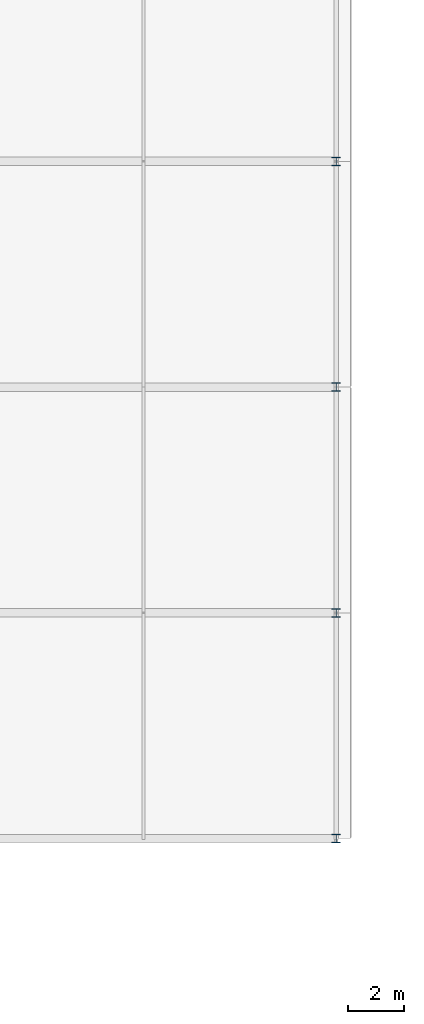
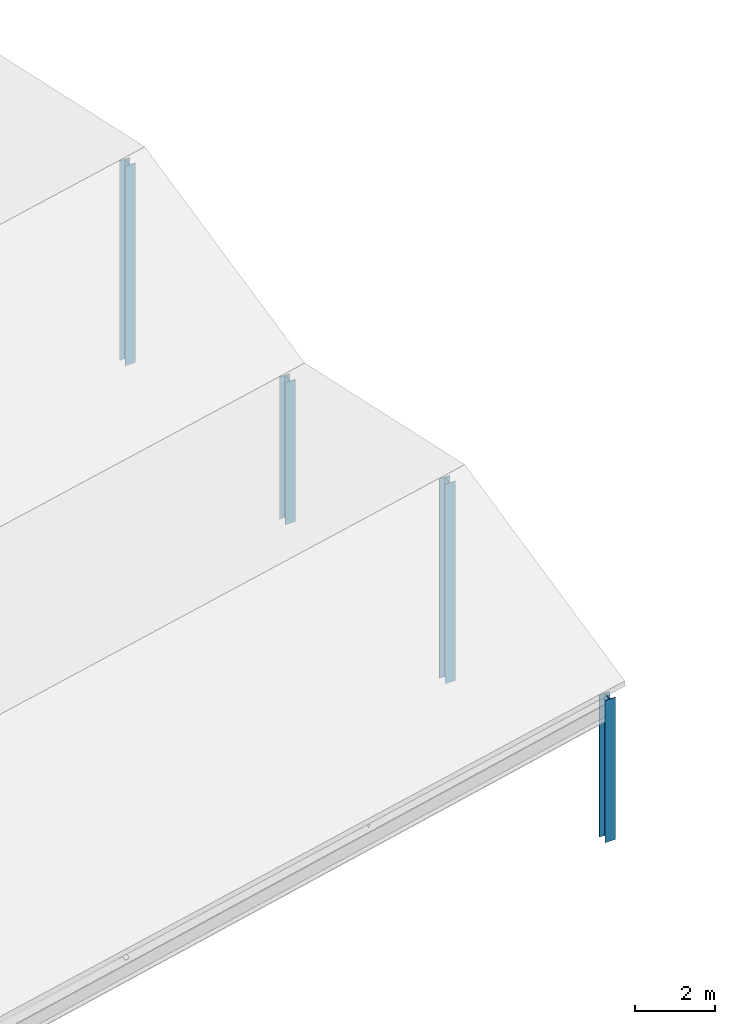
# One storey, part 10 of 109: 4 columns.
"""IFC4 building model written with IfcOpenShell, lengths in metres."""

from ifc_helpers import new_model, si_unit, direction, frame, origin, origin_2d, place, context, subcontext, project, spatial, i_section, extrude, material, material_profile, profile_set, type_object, element, save


model = new_model("IFC4")

# Units and contexts
model_context = context("Model", 3, precision=1e-05, world=origin(), true_north=direction((0.0, 1.0)))
body_context = subcontext(model_context, "Body", "Model", "MODEL_VIEW")
ifc_project = project(units=[si_unit("LENGTHUNIT", "METRE"), si_unit("AREAUNIT", "SQUARE_METRE"), si_unit("VOLUMEUNIT", "CUBIC_METRE"), si_unit("PLANEANGLEUNIT", "RADIAN"), si_unit("MASSUNIT", "GRAM", prefix="KILO")], contexts=[model_context])

# Site, building, storey
site_placement = place(None, origin())
site = spatial("IfcSite", under=ifc_project, at=site_placement, CompositionType="ELEMENT")
building_placement = place(site_placement, origin())
building = spatial("IfcBuilding", under=site, at=building_placement, Name="Zavelmont Quarter", CompositionType="ELEMENT")
storey_placement = place(building_placement, frame((0.0, 0.0, 8.0)))
storey = spatial("IfcBuildingStorey", under=building, at=storey_placement, Name="L02", CompositionType="ELEMENT", Elevation=8.0)

# Columns
ifc_material = material(Name="Steel S355", Category="steel")
ifc_material_profile = material_profile(ifc_material, i_section(OverallWidth=0.300048828125, OverallDepth=0.300048828125, WebThickness=0.010986328125, FlangeThickness=0.01904296875, at=origin_2d()), Name="HEB 300")
ifc_profile_set = profile_set([ifc_material_profile], Name="Steel S355")
column_type = type_object("IfcColumnType", Name="CL10", PredefinedType="COLUMN", material=ifc_profile_set)
column_1_placement = place(storey_placement, frame((168.0, 38.0, 0.0), z_axis=(0.0, 0.0, 1.0), x_axis=(1.0, 0.0, 0.0)))
element("IfcColumn", 1, at=column_1_placement, inside=storey, type_object=column_type, Name="L02 column CL10 at 25/G", PredefinedType="COLUMN", context=body_context, shape_type="SweptSolid", body=[
    extrude(i_section(OverallWidth=0.300048828125, OverallDepth=0.300048828125, WebThickness=0.010986328125, FlangeThickness=0.01904296875, at=origin_2d()), origin(), (0.0, 0.0, 1.0), 4.339111328125),
])
column_2_placement = place(storey_placement, frame((168.0, 46.0, 0.0), z_axis=(0.0, 0.0, 1.0), x_axis=(1.0, 0.0, 0.0)))
element("IfcColumn", 2, at=column_2_placement, inside=storey, type_object=column_type, Name="L02 column CL10 at 25/H", PredefinedType="COLUMN", context=body_context, shape_type="SweptSolid", body=[
    extrude(i_section(OverallWidth=0.300048828125, OverallDepth=0.300048828125, WebThickness=0.010986328125, FlangeThickness=0.01904296875, at=origin_2d()), origin(), (0.0, 0.0, 1.0), 6.089111328125),
])
column_3_placement = place(storey_placement, frame((168.0, 54.0, 0.0), z_axis=(0.0, 0.0, 1.0), x_axis=(1.0, 0.0, 0.0)))
element("IfcColumn", 3, at=column_3_placement, inside=storey, type_object=column_type, Name="L02 column CL10 at 25/J", PredefinedType="COLUMN", context=body_context, shape_type="SweptSolid", body=[
    extrude(i_section(OverallWidth=0.300048828125, OverallDepth=0.300048828125, WebThickness=0.010986328125, FlangeThickness=0.01904296875, at=origin_2d()), origin(), (0.0, 0.0, 1.0), 4.339111328125),
])
column_4_placement = place(storey_placement, frame((168.0, 62.0, 0.0), z_axis=(0.0, 0.0, 1.0), x_axis=(1.0, 0.0, 0.0)))
element("IfcColumn", 4, at=column_4_placement, inside=storey, type_object=column_type, Name="L02 column CL10 at 25/K", PredefinedType="COLUMN", context=body_context, shape_type="SweptSolid", body=[
    extrude(i_section(OverallWidth=0.300048828125, OverallDepth=0.300048828125, WebThickness=0.010986328125, FlangeThickness=0.01904296875, at=origin_2d()), origin(), (0.0, 0.0, 1.0), 6.089111328125),
])

save(model, "model.ifc")
